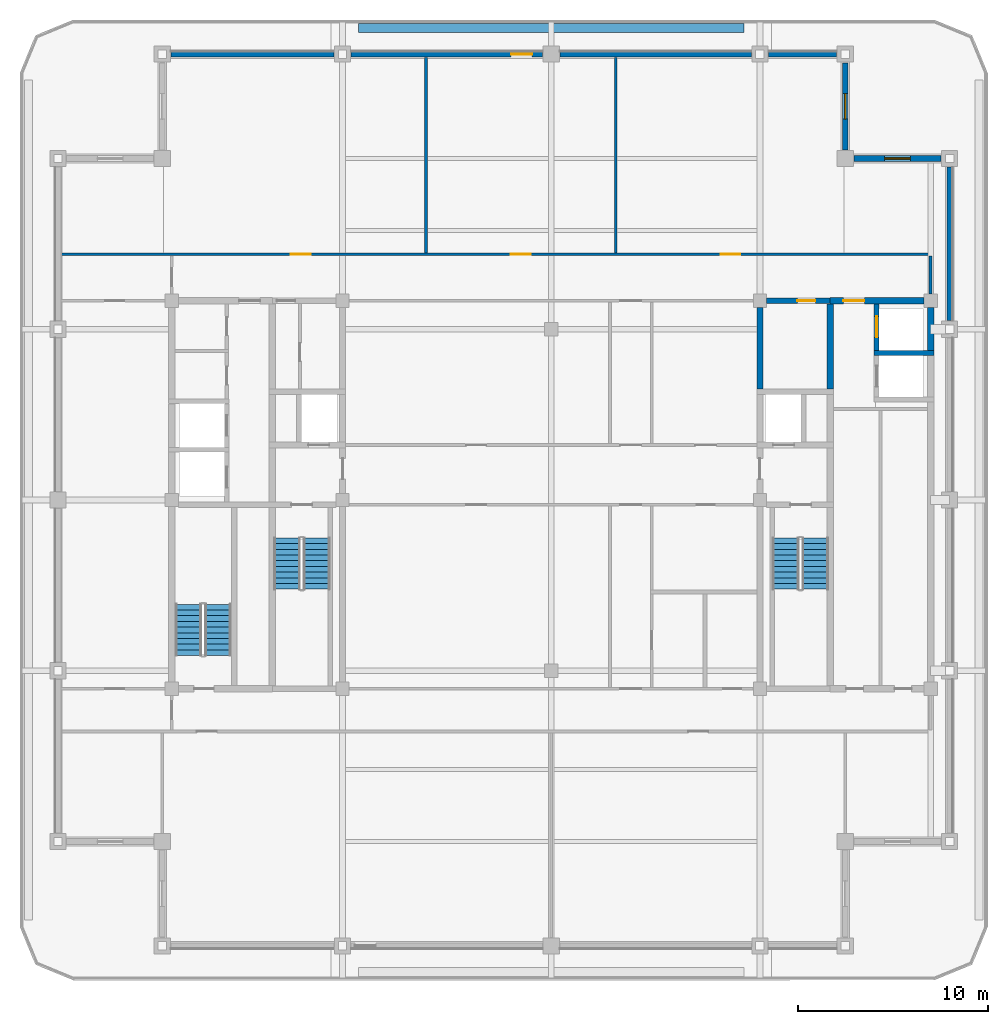
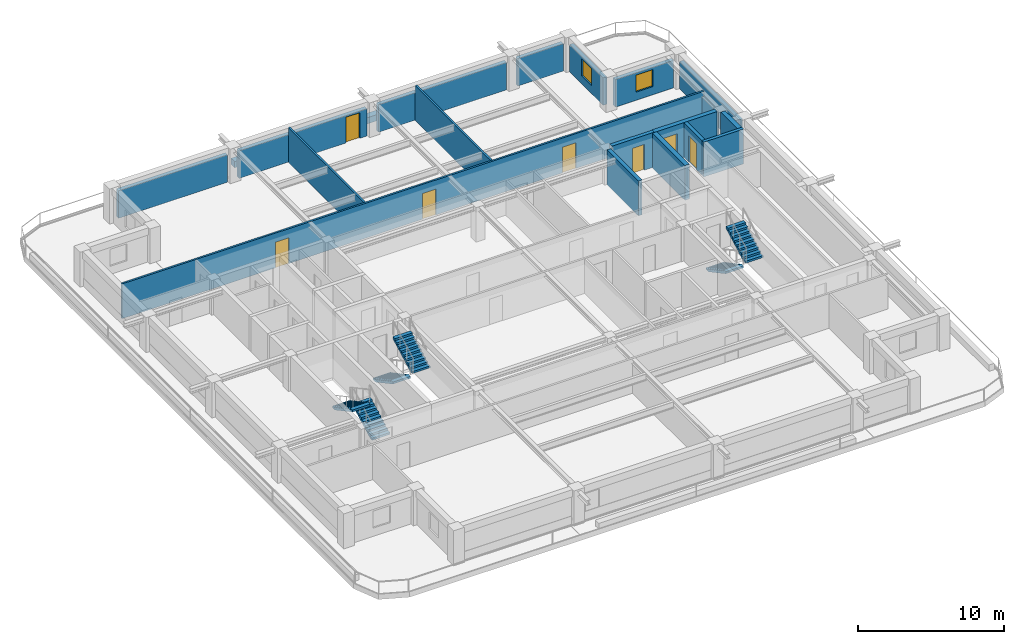
# One storey, part 5 of 10: 19 walls, 7 doors, 6 stair flights, 2 windows, 9 openings, 3 elements without a shape of their own.
"""IFC4 building model written with IfcOpenShell, lengths in metres."""

from ifc_helpers import new_model, si_unit, direction, frame, frame_2d, origin, place, context, subcontext, project, spatial, polyline, rectangle, outline, extrude, material, layer, layer_set, type_object, element, fill, aggregate, save


model = new_model("IFC4")

# Units and contexts
model_context = context("Model", 3, precision=1e-05, world=origin(), true_north=direction((0.0, 1.0)))
body_context = subcontext(model_context, "Body", "Model", "MODEL_VIEW")
ifc_project = project(units=[si_unit("LENGTHUNIT", "METRE"), si_unit("AREAUNIT", "SQUARE_METRE"), si_unit("VOLUMEUNIT", "CUBIC_METRE"), si_unit("PLANEANGLEUNIT", "RADIAN"), si_unit("MASSUNIT", "GRAM", prefix="KILO")], contexts=[model_context])

# Site, building, storey
site_placement = place(None, origin())
site = spatial("IfcSite", under=ifc_project, at=site_placement, CompositionType="ELEMENT")
building_placement = place(site_placement, origin())
building = spatial("IfcBuilding", under=site, at=building_placement, Name="Zulmaris Gate Convention Tower", CompositionType="ELEMENT")
storey_placement = place(building_placement, frame((0.0, 0.0, 267.35009765625)))
storey = spatial("IfcBuildingStorey", under=building, at=storey_placement, Name="L71", CompositionType="ELEMENT", Elevation=267.35009765625)

# Wall
ifc_material_1 = material(Name="Concrete C50/60", Category="concrete")
ifc_layer_1 = layer(ifc_material_1, 0.25, Name="Concrete C50/60")
ifc_layer_set_1 = layer_set([ifc_layer_1], Name="Concrete C50/60")
wall_type_1 = type_object("IfcWallType", Name="CORE-250", PredefinedType="SOLIDWALL", material=ifc_layer_set_1)
wall_1_placement = place(storey_placement, frame((17.02490234375, 7.75, 0.0), z_axis=(0.0, 0.0, 1.0), x_axis=(1.0, 0.0, 0.0)))
element("IfcWall", 1, at=wall_1_placement, inside=storey, type_object=wall_type_1, Name="WL-L71-014", PredefinedType="SOLIDWALL", context=body_context, shape_type="SweptSolid", body=[
    extrude(rectangle(XDim=3.150146484375, YDim=0.25, at=frame_2d((1.5751953125, 0.0))), origin(), (0.0, 0.0, 1.0), 2.905029296875),
])

# Wall, opening, door
wall_2_placement = place(storey_placement, frame((17.14990234375, 7.876953125, 0.0), z_axis=(0.0, 0.0, 1.0), x_axis=(0.0, 1.0, 0.0)))
wall_2 = element("IfcWall", 2, at=wall_2_placement, inside=storey, type_object=wall_type_1, Name="WL-L71-058", PredefinedType="SOLIDWALL", context=body_context, shape_type="SweptSolid", body=[
    extrude(rectangle(XDim=2.446044921875, YDim=0.25, at=frame_2d((1.22314453125, 0.0))), origin(), (0.0, 0.0, 1.0), 2.905029296875),
])
opening_1_placement = place(wall_2_placement, frame((0.697998046875, 0.0, 0.0)))
opening_1 = element("IfcOpeningElement", 3, at=opening_1_placement, cuts=wall_2, Name="Opening D-06", PredefinedType="OPENING", context=body_context, shape_type="SweptSolid", body=[
    extrude(rectangle(XDim=1.10009765625, YDim=2.199951171875, at=frame_2d((0.550048828125, 1.10009765625))), frame((0.0, 0.135009765625, 0.0), z_axis=(0.0, -1.0, 0.0), x_axis=(1.0, 0.0, 0.0)), (0.0, 0.0, 1.0), 0.27001953125),
])
ifc_material_2 = material(Name="Brushed Stainless Steel", Category="steel")
door_type_1 = type_object("IfcDoorType", Name="LD-1100", OperationType="NOTDEFINED", PredefinedType="DOOR", material=ifc_material_2)
door_1_placement = place(opening_1_placement, origin())
door_1 = element("IfcDoor", 4, at=door_1_placement, inside=storey, type_object=door_type_1, Name="L71 Lift Landing Door HP-02 17", OperationType="SLIDING_TO_RIGHT", OverallHeight=2.199951171875, OverallWidth=1.10009765625, PredefinedType="DOOR", context=body_context, shape_type="SweptSolid", body=[
    extrude(rectangle(XDim=1.10009765625, YDim=2.199951171875, at=frame_2d((0.550048828125, 1.10009765625))), frame((0.0, 0.02490234375, 0.0), z_axis=(0.0, -1.0, 0.0), x_axis=(1.0, 0.0, 0.0)), (0.0, 0.0, 1.0), 0.050048828125),
])
fill(opening_1, door_1)

ifc_layer_2 = layer(ifc_material_1, 0.300048828125, Name="Concrete C50/60")
ifc_layer_set_2 = layer_set([ifc_layer_2], Name="Concrete C50/60")
wall_type_2 = type_object("IfcWallType", Name="CORE-300", PredefinedType="SHEAR", material=ifc_layer_set_2)
wall_3_placement = place(storey_placement, frame((11.35400390625, 10.5, 0.0), z_axis=(0.0, 0.0, 1.0), x_axis=(1.0, 0.0, 0.0)))
wall_3 = element("IfcWall", 5, at=wall_3_placement, inside=storey, type_object=wall_type_2, Name="WL-L71-017", PredefinedType="SHEAR", context=body_context, shape_type="SweptSolid", body=[
    extrude(rectangle(XDim=3.345947265625, YDim=0.300048828125, at=frame_2d((1.6728515625, 0.0))), origin(), (0.0, 0.0, 1.0), 2.905029296875),
])
opening_2_placement = place(wall_3_placement, frame((1.62109375, 0.0, 0.0)))
opening_2 = element("IfcOpeningElement", 6, at=opening_2_placement, cuts=wall_3, Name="Opening D-11", PredefinedType="OPENING", context=body_context, shape_type="SweptSolid", body=[
    extrude(rectangle(XDim=0.949951171875, YDim=2.14990234375, at=frame_2d((0.47509765625, 1.074951171875))), frame((0.0, 0.16015625, 0.0), z_axis=(0.0, -1.0, 0.0), x_axis=(1.0, 0.0, 0.0)), (0.0, 0.0, 1.0), 0.320068359375),
])
ifc_material_3 = material(Name="Fire-Rated Timber", Category="wood")
door_type_2 = type_object("IfcDoorType", Name="DR-950-FD", OperationType="NOTDEFINED", PredefinedType="DOOR", material=ifc_material_3)
door_2_placement = place(opening_2_placement, origin())
door_2 = element("IfcDoor", 7, at=door_2_placement, inside=storey, type_object=door_type_2, Name="L71 Core Tea Pantry Door 09", OperationType="SINGLE_SWING_RIGHT", OverallHeight=2.14990234375, OverallWidth=0.949951171875, PredefinedType="DOOR", context=body_context, shape_type="SweptSolid", body=[
    extrude(rectangle(XDim=0.949951171875, YDim=2.14990234375, at=frame_2d((0.47509765625, 1.074951171875))), frame((0.0, 0.02490234375, 0.0), z_axis=(0.0, -1.0, 0.0), x_axis=(1.0, 0.0, 0.0)), (0.0, 0.0, 1.0), 0.050048828125),
])
fill(opening_2, door_2)

# Wall
wall_4_placement = place(storey_placement, frame((11.0, 5.85205078125, 0.0), z_axis=(0.0, 0.0, 1.0), x_axis=(0.0, 1.0, 0.0)))
element("IfcWall", 8, at=wall_4_placement, inside=storey, type_object=wall_type_2, Name="WL-L71-050", PredefinedType="SHEAR", context=body_context, shape_type="SweptSolid", body=[
    extrude(rectangle(XDim=4.2939453125, YDim=0.300048828125, at=frame_2d((2.14697265625, 0.0))), origin(), (0.0, 0.0, 1.0), 2.905029296875),
])

# Wall, opening, door
ifc_material_4 = material(Name="Concrete C55/67", Category="concrete")
ifc_layer_3 = layer(ifc_material_4, 0.35009765625, Name="Concrete C55/67")
ifc_layer_set_3 = layer_set([ifc_layer_3], Name="Concrete C55/67")
wall_type_3 = type_object("IfcWallType", Name="CORE-350", PredefinedType="SHEAR", material=ifc_layer_set_3)
wall_5_placement = place(storey_placement, frame((14.699951171875, 10.5, 0.0), z_axis=(0.0, 0.0, 1.0), x_axis=(1.0, 0.0, 0.0)))
wall_5 = element("IfcWall", 9, at=wall_5_placement, inside=storey, type_object=wall_type_3, Name="WL-L71-018", PredefinedType="SHEAR", context=body_context, shape_type="SweptSolid", body=[
    extrude(rectangle(XDim=4.946044921875, YDim=0.35009765625, at=frame_2d((2.47314453125, 0.0))), origin(), (0.0, 0.0, 1.0), 2.905029296875),
])
opening_3_placement = place(wall_5_placement, frame((0.699951171875, 0.0, 0.0)))
opening_3 = element("IfcOpeningElement", 10, at=opening_3_placement, cuts=wall_5, Name="Opening D-08", PredefinedType="OPENING", context=body_context, shape_type="SweptSolid", body=[
    extrude(rectangle(XDim=1.10009765625, YDim=2.14990234375, at=frame_2d((0.550048828125, 1.074951171875))), frame((0.0, 0.18505859375, 0.0), z_axis=(0.0, -1.0, 0.0), x_axis=(1.0, 0.0, 0.0)), (0.0, 0.0, 1.0), 0.3701171875),
])
ifc_material_5 = material(Name="Fire-Rated Steel", Category="steel")
door_type_3 = type_object("IfcDoorType", Name="DR-1100-FD", OperationType="NOTDEFINED", PredefinedType="DOOR", material=ifc_material_5)
door_3_placement = place(opening_3_placement, origin())
door_3 = element("IfcDoor", 11, at=door_3_placement, inside=storey, type_object=door_type_3, Name="L71 High-Rise East Lift Lobby Door 18", OperationType="SINGLE_SWING_LEFT", OverallHeight=2.14990234375, OverallWidth=1.10009765625, PredefinedType="DOOR", context=body_context, shape_type="SweptSolid", body=[
    extrude(rectangle(XDim=1.10009765625, YDim=2.14990234375, at=frame_2d((0.550048828125, 1.074951171875))), frame((0.0, 0.02490234375, 0.0), z_axis=(0.0, -1.0, 0.0), x_axis=(1.0, 0.0, 0.0)), (0.0, 0.0, 1.0), 0.050048828125),
])
fill(opening_3, door_3)

# Walls
wall_6_placement = place(storey_placement, frame((14.699951171875, 5.85205078125, 0.0), z_axis=(0.0, 0.0, 1.0), x_axis=(0.0, 1.0, 0.0)))
element("IfcWall", 12, at=wall_6_placement, inside=storey, type_object=wall_type_3, Name="WL-L71-056", PredefinedType="SHEAR", context=body_context, shape_type="SweptSolid", body=[
    extrude(rectangle(XDim=4.470947265625, YDim=0.35009765625, at=frame_2d((2.2353515625, 0.0))), origin(), (0.0, 0.0, 1.0), 2.905029296875),
])
wall_7_placement = place(storey_placement, frame((20.0, 7.876953125, 0.0), z_axis=(0.0, 0.0, 1.0), x_axis=(0.0, 1.0, 0.0)))
element("IfcWall", 13, at=wall_7_placement, inside=storey, type_object=wall_type_3, Name="WL-L71-061", PredefinedType="SHEAR", context=body_context, shape_type="SweptSolid", body=[
    extrude(rectangle(XDim=2.26904296875, YDim=0.35009765625, at=frame_2d((1.134521484375, 0.0))), origin(), (0.0, 0.0, 1.0), 2.905029296875),
])

# Wall, openings, doors
ifc_material_6 = material(Name="Gypsum Metal Stud Partition")
ifc_layer_4 = layer(ifc_material_6, 0.14990234375, Name="Gypsum Metal Stud Partition")
ifc_layer_set_4 = layer_set([ifc_layer_4], Name="Gypsum Metal Stud Partition")
wall_type_4 = type_object("IfcWallType", Name="PART-150", PredefinedType="PARTITIONING", material=ifc_layer_set_4)
wall_8_placement = place(storey_placement, frame((-25.8349609375, 12.949951171875, 0.0), z_axis=(0.0, 0.0, 1.0), x_axis=(1.0, 0.0, 0.0)))
wall_8 = element("IfcWall", 14, at=wall_8_placement, inside=storey, type_object=wall_type_4, Name="WL-L71-029", PredefinedType="PARTITIONING", context=body_context, shape_type="SweptSolid", body=[
    extrude(rectangle(XDim=45.909912109375, YDim=0.14990234375, at=frame_2d((22.955078125, 0.0))), origin(), (0.0, 0.0, 1.0), 2.905029296875),
])
opening_4_placement = place(wall_8_placement, frame((12.110107421875, 0.0, 0.0)))
opening_4 = element("IfcOpeningElement", 15, at=opening_4_placement, cuts=wall_8, Name="Opening D-09", PredefinedType="OPENING", context=body_context, shape_type="SweptSolid", body=[
    extrude(rectangle(XDim=1.050048828125, YDim=2.14990234375, at=frame_2d((0.52490234375, 1.074951171875))), frame((0.0, 0.0849609375, 0.0), z_axis=(0.0, -1.0, 0.0), x_axis=(1.0, 0.0, 0.0)), (0.0, 0.0, 1.0), 0.169921875),
])
opening_5_placement = place(wall_8_placement, frame((23.7099609375, 0.0, 0.0)))
opening_5 = element("IfcOpeningElement", 16, at=opening_5_placement, cuts=wall_8, Name="Opening D-09", PredefinedType="OPENING", context=body_context, shape_type="SweptSolid", body=[
    extrude(rectangle(XDim=1.050048828125, YDim=2.14990234375, at=frame_2d((0.52490234375, 1.074951171875))), frame((0.0, 0.0849609375, 0.0), z_axis=(0.0, -1.0, 0.0), x_axis=(1.0, 0.0, 0.0)), (0.0, 0.0, 1.0), 0.169921875),
])
opening_6_placement = place(wall_8_placement, frame((34.760009765625, 0.0, 0.0)))
opening_6 = element("IfcOpeningElement", 17, at=opening_6_placement, cuts=wall_8, Name="Opening D-09", PredefinedType="OPENING", context=body_context, shape_type="SweptSolid", body=[
    extrude(rectangle(XDim=1.050048828125, YDim=2.14990234375, at=frame_2d((0.52490234375, 1.074951171875))), frame((0.0, 0.0849609375, 0.0), z_axis=(0.0, -1.0, 0.0), x_axis=(1.0, 0.0, 0.0)), (0.0, 0.0, 1.0), 0.169921875),
])
door_type_4 = type_object("IfcDoorType", Name="DR-1050-FD", OperationType="NOTDEFINED", PredefinedType="DOOR", material=ifc_material_5)
door_4_placement = place(opening_4_placement, origin())
door_4 = element("IfcDoor", 18, at=door_4_placement, inside=storey, type_object=door_type_4, Name="L71 Partner Corner Office Door 25", OperationType="SINGLE_SWING_RIGHT", OverallHeight=2.14990234375, OverallWidth=1.050048828125, PredefinedType="DOOR", context=body_context, shape_type="SweptSolid", body=[
    extrude(rectangle(XDim=1.050048828125, YDim=2.14990234375, at=frame_2d((0.52490234375, 1.074951171875))), frame((0.0, 0.02490234375, 0.0), z_axis=(0.0, -1.0, 0.0), x_axis=(1.0, 0.0, 0.0)), (0.0, 0.0, 1.0), 0.050048828125),
])
fill(opening_4, door_4)
door_5_placement = place(opening_5_placement, origin())
door_5 = element("IfcDoor", 19, at=door_5_placement, inside=storey, type_object=door_type_4, Name="L71 Advisory Suite Office Door 26", OperationType="SINGLE_SWING_LEFT", OverallHeight=2.14990234375, OverallWidth=1.050048828125, PredefinedType="DOOR", context=body_context, shape_type="SweptSolid", body=[
    extrude(rectangle(XDim=1.050048828125, YDim=2.14990234375, at=frame_2d((0.52490234375, 1.074951171875))), frame((0.0, 0.02490234375, 0.0), z_axis=(0.0, -1.0, 0.0), x_axis=(1.0, 0.0, 0.0)), (0.0, 0.0, 1.0), 0.050048828125),
])
fill(opening_5, door_5)
door_6_placement = place(opening_6_placement, origin())
door_6 = element("IfcDoor", 20, at=door_6_placement, inside=storey, type_object=door_type_4, Name="L71 Open Plan Workplace Door 27", OperationType="SINGLE_SWING_RIGHT", OverallHeight=2.14990234375, OverallWidth=1.050048828125, PredefinedType="DOOR", context=body_context, shape_type="SweptSolid", body=[
    extrude(rectangle(XDim=1.050048828125, YDim=2.14990234375, at=frame_2d((0.52490234375, 1.074951171875))), frame((0.0, 0.02490234375, 0.0), z_axis=(0.0, -1.0, 0.0), x_axis=(1.0, 0.0, 0.0)), (0.0, 0.0, 1.0), 0.050048828125),
])
fill(opening_6, door_6)

# Walls
for number, where, z_axis, x_axis, name in (
    (21, (-6.60009765625, 13.028076171875, 0.0), (0.0, 0.0, 1.0), (0.0, 1.0, 0.0), "WL-L71-068"),
    (22, (3.39990234375, 13.028076171875, 0.0), (0.0, 0.0, 1.0), (0.0, 1.0, 0.0), "WL-L71-072"),
):
    element("IfcWall", number, at=place(storey_placement, frame(where, z_axis=z_axis, x_axis=x_axis)), inside=storey, type_object=wall_type_4, Name=name, PredefinedType="PARTITIONING", context=body_context, shape_type="SweptSolid", body=[
        extrude(rectangle(XDim=10.306884765625, YDim=0.14990234375, at=frame_2d((5.1533203125, 0.0))), origin(), (0.0, 0.0, 1.0), 2.905029296875),
    ])
wall_9_placement = place(storey_placement, frame((20.0, 10.85595703125, 0.0), z_axis=(0.0, 0.0, 1.0), x_axis=(0.0, 1.0, 0.0)))
element("IfcWall", 23, at=wall_9_placement, inside=storey, type_object=wall_type_4, Name="WL-L71-080", PredefinedType="PARTITIONING", context=body_context, shape_type="SweptSolid", body=[
    extrude(rectangle(XDim=2.01611328125, YDim=0.14990234375, at=frame_2d((1.008056640625, 0.0))), origin(), (0.0, 0.0, 1.0), 2.4951171875),
])
ifc_material_7 = material(Name="Botanical Green Glazed Precast Concrete C40/50", Category="concrete")
ifc_layer_5 = layer(ifc_material_7, 0.419921875, Name="Botanical Green Glazed Precast Concrete C40/50")
ifc_layer_set_5 = layer_set([ifc_layer_5], Name="Botanical Green Glazed Precast Concrete C40/50")
wall_type_5 = type_object("IfcWallType", Name="PLANTER-CURB-200", PredefinedType="PARAPET", material=ifc_layer_set_5)
wall_10_placement = place(storey_placement, frame((-10.14990234375, 24.8798828125, -0.0400390625), z_axis=(0.0, 0.0, 1.0), x_axis=(1.0, 0.0, 0.0)))
element("IfcWall", 24, at=wall_10_placement, inside=storey, type_object=wall_type_5, Name="L71 Full-Length Balcony Tree Planter Trough", PredefinedType="PARAPET", context=body_context, shape_type="SweptSolid", body=[
    extrude(rectangle(XDim=20.2998046875, YDim=0.47998046875, at=frame_2d((10.14990234375, 0.0))), origin(), (0.0, 0.0, 1.0), 0.52001953125),
])

# Wall, opening, window
ifc_material_8 = material(Name="Precast concrete C40/50", Category="concrete")
ifc_layer_6 = layer(ifc_material_8, 0.300048828125, Name="Precast concrete C40/50")
ifc_layer_set_6 = layer_set([ifc_layer_6], Name="Precast concrete C40/50")
wall_type_6 = type_object("IfcWallType", Name="PRECAST-PIER-300", PredefinedType="STANDARD", material=ifc_layer_set_6)
wall_11_placement = place(storey_placement, frame((20.544921875, 18.0, 0.0), z_axis=(0.0, 0.0, 1.0), x_axis=(-1.0, 0.0, 0.0)))
wall_11 = element("IfcWall", 25, at=wall_11_placement, inside=storey, type_object=wall_type_6, Name="EW-L71-NOTCH-NE1_0", PredefinedType="STANDARD", context=body_context, shape_type="SweptSolid", body=[
    extrude(rectangle(XDim=4.58984375, YDim=0.300048828125, at=frame_2d((2.294921875, 0.0))), origin(), (0.0, 0.0, 1.0), 2.297119140625),
])
opening_7_placement = place(wall_11_placement, frame((1.6201171875, 0.0, 0.679931640625)))
opening_7 = element("IfcOpeningElement", 26, at=opening_7_placement, cuts=wall_11, Name="Opening W-10", PredefinedType="OPENING", context=body_context, shape_type="SweptSolid", body=[
    extrude(rectangle(XDim=1.35009765625, YDim=1.419921875, at=frame_2d((0.675048828125, 0.7099609375))), frame((0.0, 0.16015625, 0.0), z_axis=(0.0, -1.0, 0.0), x_axis=(1.0, 0.0, 0.0)), (0.0, 0.0, 1.0), 0.320068359375),
])
ifc_material_9 = material(Name="Low-E Laminated Double Glazing in Aluminium Frame", Category="aluminium")
window_type = type_object("IfcWindowType", Name="WIN-1350x2000", PartitioningType="SINGLE_PANEL", PredefinedType="WINDOW", material=ifc_material_9)
window_1_placement = place(opening_7_placement, origin())
window_1 = element("IfcWindow", 27, at=window_1_placement, inside=storey, type_object=window_type, Name="WN-EW-L71-NOTCH-NE1_0", OverallHeight=1.419921875, OverallWidth=1.35009765625, PartitioningType="SINGLE_PANEL", PredefinedType="WINDOW", context=body_context, shape_type="SweptSolid", body=[
    extrude(rectangle(XDim=1.35009765625, YDim=1.419921875, at=frame_2d((0.675048828125, 0.7099609375))), frame((0.0, 0.030029296875, 0.0), z_axis=(0.0, -1.0, 0.0), x_axis=(1.0, 0.0, 0.0)), (0.0, 0.0, 1.0), 0.06005859375),
])
fill(opening_7, window_1)

wall_12_placement = place(storey_placement, frame((15.5, 18.455078125, 0.0), z_axis=(0.0, 0.0, 1.0), x_axis=(0.0, 1.0, 0.0)))
wall_12 = element("IfcWall", 28, at=wall_12_placement, inside=storey, type_object=wall_type_6, Name="EW-L71-NOTCH-NE2_0", PredefinedType="STANDARD", context=body_context, shape_type="SweptSolid", body=[
    extrude(rectangle(XDim=4.58984375, YDim=0.300048828125, at=frame_2d((2.294921875, 0.0))), origin(), (0.0, 0.0, 1.0), 2.297119140625),
])
opening_8_placement = place(wall_12_placement, frame((1.6201171875, 0.0, 0.679931640625)))
opening_8 = element("IfcOpeningElement", 29, at=opening_8_placement, cuts=wall_12, Name="Opening W-10", PredefinedType="OPENING", context=body_context, shape_type="SweptSolid", body=[
    extrude(rectangle(XDim=1.35009765625, YDim=1.419921875, at=frame_2d((0.675048828125, 0.7099609375))), frame((0.0, 0.16015625, 0.0), z_axis=(0.0, -1.0, 0.0), x_axis=(1.0, 0.0, 0.0)), (0.0, 0.0, 1.0), 0.320068359375),
])
window_2_placement = place(opening_8_placement, origin())
window_2 = element("IfcWindow", 30, at=window_2_placement, inside=storey, type_object=window_type, Name="WN-EW-L71-NOTCH-NE2_0", OverallHeight=1.419921875, OverallWidth=1.35009765625, PartitioningType="SINGLE_PANEL", PredefinedType="WINDOW", context=body_context, shape_type="SweptSolid", body=[
    extrude(rectangle(XDim=1.35009765625, YDim=1.419921875, at=frame_2d((0.675048828125, 0.7099609375))), frame((0.0, 0.030029296875, 0.0), z_axis=(0.0, -1.0, 0.0), x_axis=(1.0, 0.0, 0.0)), (0.0, 0.0, 1.0), 0.06005859375),
])
fill(opening_8, window_2)

# Wall
wall_13_placement = place(storey_placement, frame((-11.455078125, 23.5, 0.0), z_axis=(0.0, 0.0, 1.0), x_axis=(-1.0, 0.0, 0.0)))
element("IfcWall", 31, at=wall_13_placement, inside=storey, type_object=wall_type_6, Name="EW-L71-N-0_0", PredefinedType="STANDARD", context=body_context, shape_type="SweptSolid", body=[
    extrude(rectangle(XDim=8.58984375, YDim=0.300048828125, at=frame_2d((4.294921875, 0.0))), origin(), (0.0, 0.0, 1.0), 2.297119140625),
])

# Wall, opening, door
wall_14_placement = place(storey_placement, frame((-0.455078125, 23.5, 0.0), z_axis=(0.0, 0.0, 1.0), x_axis=(-1.0, 0.0, 0.0)))
wall_14 = element("IfcWall", 32, at=wall_14_placement, inside=storey, type_object=wall_type_6, Name="EW-L71-N-1_0", PredefinedType="STANDARD", context=body_context, shape_type="SweptSolid", body=[
    extrude(rectangle(XDim=10.08984375, YDim=0.300048828125, at=frame_2d((5.044921875, 0.0))), origin(), (0.0, 0.0, 1.0), 2.297119140625),
])
opening_9_placement = place(wall_14_placement, frame((0.55810546875, 0.0, 0.0)))
opening_9 = element("IfcOpeningElement", 33, at=opening_9_placement, cuts=wall_14, Name="Opening D-04", PredefinedType="OPENING", context=body_context, shape_type="SweptSolid", body=[
    extrude(rectangle(XDim=1.10009765625, YDim=2.14990234375, at=frame_2d((0.550048828125, 1.074951171875))), frame((0.0, 0.16015625, 0.0), z_axis=(0.0, -1.0, 0.0), x_axis=(1.0, 0.0, 0.0)), (0.0, 0.0, 1.0), 0.320068359375),
])
ifc_material_10 = material(Name="Anodised Aluminium and Laminated Glass", Category="aluminium")
door_type_5 = type_object("IfcDoorType", Name="ED-1100", OperationType="SINGLE_SWING_RIGHT", PredefinedType="DOOR", material=ifc_material_10)
door_7_placement = place(opening_9_placement, origin())
door_7 = element("IfcDoor", 34, at=door_7_placement, inside=storey, type_object=door_type_5, Name="L71 N Planted Terrace Door", OperationType="SINGLE_SWING_LEFT", OverallHeight=2.14990234375, OverallWidth=1.10009765625, PredefinedType="DOOR", context=body_context, shape_type="SweptSolid", body=[
    extrude(rectangle(XDim=1.10009765625, YDim=2.14990234375, at=frame_2d((0.550048828125, 1.074951171875))), frame((0.0, 0.02490234375, 0.0), z_axis=(0.0, -1.0, 0.0), x_axis=(1.0, 0.0, 0.0)), (0.0, 0.0, 1.0), 0.050048828125),
])
fill(opening_9, door_7)

# Walls
wall_15_placement = place(storey_placement, frame((10.544921875, 23.5, 0.0), z_axis=(0.0, 0.0, 1.0), x_axis=(-1.0, 0.0, 0.0)))
element("IfcWall", 35, at=wall_15_placement, inside=storey, type_object=wall_type_6, Name="EW-L71-N-2_0", PredefinedType="STANDARD", context=body_context, shape_type="SweptSolid", body=[
    extrude(rectangle(XDim=10.08984375, YDim=0.300048828125, at=frame_2d((5.044921875, 0.0))), origin(), (0.0, 0.0, 1.0), 2.297119140625),
])
wall_16_placement = place(storey_placement, frame((15.044921875, 23.5, 0.0), z_axis=(0.0, 0.0, 1.0), x_axis=(-1.0, 0.0, 0.0)))
element("IfcWall", 36, at=wall_16_placement, inside=storey, type_object=wall_type_6, Name="EW-L71-N-3_0", PredefinedType="STANDARD", context=body_context, shape_type="SweptSolid", body=[
    extrude(rectangle(XDim=3.58984375, YDim=0.300048828125, at=frame_2d((1.794921875, 0.0))), origin(), (0.0, 0.0, 1.0), 2.297119140625),
])
wall_17_placement = place(storey_placement, frame((21.0, 9.455078125, 0.0), z_axis=(0.0, 0.0, 1.0), x_axis=(0.0, 1.0, 0.0)))
element("IfcWall", 37, at=wall_17_placement, inside=storey, type_object=wall_type_6, Name="EW-L71-E-3_0", PredefinedType="STANDARD", context=body_context, shape_type="SweptSolid", body=[
    extrude(rectangle(XDim=8.08984375, YDim=0.300048828125, at=frame_2d((4.044921875, 0.0))), origin(), (0.0, 0.0, 1.0), 2.297119140625),
])

# Stair, stair flights
ifc_material_11 = material(Name="Concrete C45/55", Category="concrete")
stair_type = type_object("IfcStairType", Name="ST-CORE-DOGLEG", PredefinedType="HALF_TURN_STAIR", material=ifc_material_11)
stair_1_placement = place(storey_placement, origin())
stair_1 = element("IfcStair", 38, at=stair_1_placement, inside=storey, type_object=stair_type, Name="L71 Core Exit Stair ST-1", PredefinedType="HALF_TURN_STAIR")
ifc_layer_7 = layer(ifc_material_11, 0.14990234375, Name="Concrete C45/55")
ifc_layer_set_7 = layer_set([ifc_layer_7], Name="Concrete C45/55")
stair_flight_type = type_object("IfcStairFlightType", Name="STF-RC150", PredefinedType="STRAIGHT", material=ifc_layer_set_7)
stair_flight_1_placement = place(storey_placement, frame((-13.919921875, -2.0, 0.0), z_axis=(0.0, 0.0, 1.0), x_axis=(0.0, -1.0, 0.0)))
stair_flight_1 = element("IfcStairFlight", 39, at=stair_flight_1_placement, type_object=stair_flight_type, Name="ST-1 flight 1", NumberOfRisers=10, NumberOfTreads=9, PredefinedType="STRAIGHT", RiserHeight=0.1615, TreadLength=0.3, context=body_context, shape_type="SweptSolid", body=[
    extrude(outline(polyline([(0.0, 0.0), (0.0, 0.16162109375), (0.300048828125, 0.16162109375), (0.300048828125, 0.322998046875), (0.60009765625, 0.322998046875), (0.60009765625, 0.484619140625), (0.89990234375, 0.484619140625), (0.89990234375, 0.64599609375), (1.199951171875, 0.64599609375), (1.199951171875, 0.8076171875), (1.5, 0.8076171875), (1.5, 0.968994140625), (1.800048828125, 0.968994140625), (1.800048828125, 1.130615234375), (2.10009765625, 1.130615234375), (2.10009765625, 1.2919921875), (2.39990234375, 1.2919921875), (2.39990234375, 1.45361328125), (2.699951171875, 1.45361328125), (2.699951171875, 1.614990234375), (2.699951171875, 1.283203125), (0.316162109375, 0.0), (0.0, 0.0)])), frame((0.0, 0.699951171875, 0.0), z_axis=(0.0, -1.0, 0.0), x_axis=(1.0, 0.0, 0.0)), (0.0, 0.0, 1.0), 1.39990234375),
])
stair_flight_2_placement = place(storey_placement, frame((-12.360107421875, -4.699951171875, 1.614990234375), z_axis=(0.0, 0.0, 1.0), x_axis=(0.0, 1.0, 0.0)))
stair_flight_2 = element("IfcStairFlight", 40, at=stair_flight_2_placement, type_object=stair_flight_type, Name="ST-1 flight 2", NumberOfRisers=10, NumberOfTreads=9, PredefinedType="STRAIGHT", RiserHeight=0.1615, TreadLength=0.3, context=body_context, shape_type="SweptSolid", body=[
    extrude(outline(polyline([(0.0, 0.0), (0.0, 0.16162109375), (0.300048828125, 0.16162109375), (0.300048828125, 0.322998046875), (0.60009765625, 0.322998046875), (0.60009765625, 0.484619140625), (0.89990234375, 0.484619140625), (0.89990234375, 0.64599609375), (1.199951171875, 0.64599609375), (1.199951171875, 0.8076171875), (1.5, 0.8076171875), (1.5, 0.968994140625), (1.800048828125, 0.968994140625), (1.800048828125, 1.130615234375), (2.10009765625, 1.130615234375), (2.10009765625, 1.2919921875), (2.39990234375, 1.2919921875), (2.39990234375, 1.45361328125), (2.699951171875, 1.45361328125), (2.699951171875, 1.614990234375), (2.699951171875, 1.283203125), (0.316162109375, 0.0), (0.0, 0.0)])), frame((0.0, 0.699951171875, 0.0), z_axis=(0.0, -1.0, 0.0), x_axis=(1.0, 0.0, 0.0)), (0.0, 0.0, 1.0), 1.39990234375),
])
aggregate(stair_1, [stair_flight_1, stair_flight_2])

stair_2_placement = place(storey_placement, origin())
stair_2 = element("IfcStair", 41, at=stair_2_placement, inside=storey, type_object=stair_type, Name="L71 Core Exit Stair ST-2", PredefinedType="HALF_TURN_STAIR")
stair_flight_3_placement = place(storey_placement, frame((12.360107421875, -2.0, 0.0), z_axis=(0.0, 0.0, 1.0), x_axis=(0.0, -1.0, 0.0)))
stair_flight_3 = element("IfcStairFlight", 42, at=stair_flight_3_placement, type_object=stair_flight_type, Name="ST-2 flight 1", NumberOfRisers=10, NumberOfTreads=9, PredefinedType="STRAIGHT", RiserHeight=0.1615, TreadLength=0.3, context=body_context, shape_type="SweptSolid", body=[
    extrude(outline(polyline([(0.0, 0.0), (0.0, 0.16162109375), (0.300048828125, 0.16162109375), (0.300048828125, 0.322998046875), (0.60009765625, 0.322998046875), (0.60009765625, 0.484619140625), (0.89990234375, 0.484619140625), (0.89990234375, 0.64599609375), (1.199951171875, 0.64599609375), (1.199951171875, 0.8076171875), (1.5, 0.8076171875), (1.5, 0.968994140625), (1.800048828125, 0.968994140625), (1.800048828125, 1.130615234375), (2.10009765625, 1.130615234375), (2.10009765625, 1.2919921875), (2.39990234375, 1.2919921875), (2.39990234375, 1.45361328125), (2.699951171875, 1.45361328125), (2.699951171875, 1.614990234375), (2.699951171875, 1.283203125), (0.316162109375, 0.0), (0.0, 0.0)])), frame((0.0, 0.699951171875, 0.0), z_axis=(0.0, -1.0, 0.0), x_axis=(1.0, 0.0, 0.0)), (0.0, 0.0, 1.0), 1.39990234375),
])
stair_flight_4_placement = place(storey_placement, frame((13.919921875, -4.699951171875, 1.614990234375), z_axis=(0.0, 0.0, 1.0), x_axis=(0.0, 1.0, 0.0)))
stair_flight_4 = element("IfcStairFlight", 43, at=stair_flight_4_placement, type_object=stair_flight_type, Name="ST-2 flight 2", NumberOfRisers=10, NumberOfTreads=9, PredefinedType="STRAIGHT", RiserHeight=0.1615, TreadLength=0.3, context=body_context, shape_type="SweptSolid", body=[
    extrude(outline(polyline([(0.0, 0.0), (0.0, 0.16162109375), (0.300048828125, 0.16162109375), (0.300048828125, 0.322998046875), (0.60009765625, 0.322998046875), (0.60009765625, 0.484619140625), (0.89990234375, 0.484619140625), (0.89990234375, 0.64599609375), (1.199951171875, 0.64599609375), (1.199951171875, 0.8076171875), (1.5, 0.8076171875), (1.5, 0.968994140625), (1.800048828125, 0.968994140625), (1.800048828125, 1.130615234375), (2.10009765625, 1.130615234375), (2.10009765625, 1.2919921875), (2.39990234375, 1.2919921875), (2.39990234375, 1.45361328125), (2.699951171875, 1.45361328125), (2.699951171875, 1.614990234375), (2.699951171875, 1.283203125), (0.316162109375, 0.0), (0.0, 0.0)])), frame((0.0, 0.699951171875, 0.0), z_axis=(0.0, -1.0, 0.0), x_axis=(1.0, 0.0, 0.0)), (0.0, 0.0, 1.0), 1.39990234375),
])
aggregate(stair_2, [stair_flight_3, stair_flight_4])

stair_3_placement = place(storey_placement, origin())
stair_3 = element("IfcStair", 44, at=stair_3_placement, inside=storey, type_object=stair_type, Name="L71 Core Exit Stair ST-3", PredefinedType="HALF_TURN_STAIR")
stair_flight_5_placement = place(storey_placement, frame((-17.56005859375, -8.199951171875, 0.0), z_axis=(0.0, 0.0, 1.0), x_axis=(0.0, 1.0, 0.0)))
stair_flight_5 = element("IfcStairFlight", 45, at=stair_flight_5_placement, type_object=stair_flight_type, Name="ST-3 flight 1", NumberOfRisers=10, NumberOfTreads=9, PredefinedType="STRAIGHT", RiserHeight=0.1615, TreadLength=0.3, context=body_context, shape_type="SweptSolid", body=[
    extrude(outline(polyline([(0.0, 0.0), (0.0, 0.16162109375), (0.300048828125, 0.16162109375), (0.300048828125, 0.322998046875), (0.60009765625, 0.322998046875), (0.60009765625, 0.484619140625), (0.89990234375, 0.484619140625), (0.89990234375, 0.64599609375), (1.199951171875, 0.64599609375), (1.199951171875, 0.8076171875), (1.5, 0.8076171875), (1.5, 0.968994140625), (1.800048828125, 0.968994140625), (1.800048828125, 1.130615234375), (2.10009765625, 1.130615234375), (2.10009765625, 1.2919921875), (2.39990234375, 1.2919921875), (2.39990234375, 1.45361328125), (2.699951171875, 1.45361328125), (2.699951171875, 1.614990234375), (2.699951171875, 1.283203125), (0.316162109375, 0.0), (0.0, 0.0)])), frame((0.0, 0.699951171875, 0.0), z_axis=(0.0, -1.0, 0.0), x_axis=(1.0, 0.0, 0.0)), (0.0, 0.0, 1.0), 1.39990234375),
])
stair_flight_6_placement = place(storey_placement, frame((-19.1201171875, -5.5, 1.614990234375), z_axis=(0.0, 0.0, 1.0), x_axis=(0.0, -1.0, 0.0)))
stair_flight_6 = element("IfcStairFlight", 46, at=stair_flight_6_placement, type_object=stair_flight_type, Name="ST-3 flight 2", NumberOfRisers=10, NumberOfTreads=9, PredefinedType="STRAIGHT", RiserHeight=0.1615, TreadLength=0.3, context=body_context, shape_type="SweptSolid", body=[
    extrude(outline(polyline([(0.0, 0.0), (0.0, 0.16162109375), (0.300048828125, 0.16162109375), (0.300048828125, 0.322998046875), (0.60009765625, 0.322998046875), (0.60009765625, 0.484619140625), (0.89990234375, 0.484619140625), (0.89990234375, 0.64599609375), (1.199951171875, 0.64599609375), (1.199951171875, 0.8076171875), (1.5, 0.8076171875), (1.5, 0.968994140625), (1.800048828125, 0.968994140625), (1.800048828125, 1.130615234375), (2.10009765625, 1.130615234375), (2.10009765625, 1.2919921875), (2.39990234375, 1.2919921875), (2.39990234375, 1.45361328125), (2.699951171875, 1.45361328125), (2.699951171875, 1.614990234375), (2.699951171875, 1.283203125), (0.316162109375, 0.0), (0.0, 0.0)])), frame((0.0, 0.699951171875, 0.0), z_axis=(0.0, -1.0, 0.0), x_axis=(1.0, 0.0, 0.0)), (0.0, 0.0, 1.0), 1.39990234375),
])
aggregate(stair_3, [stair_flight_5, stair_flight_6])

save(model, "model.ifc")
